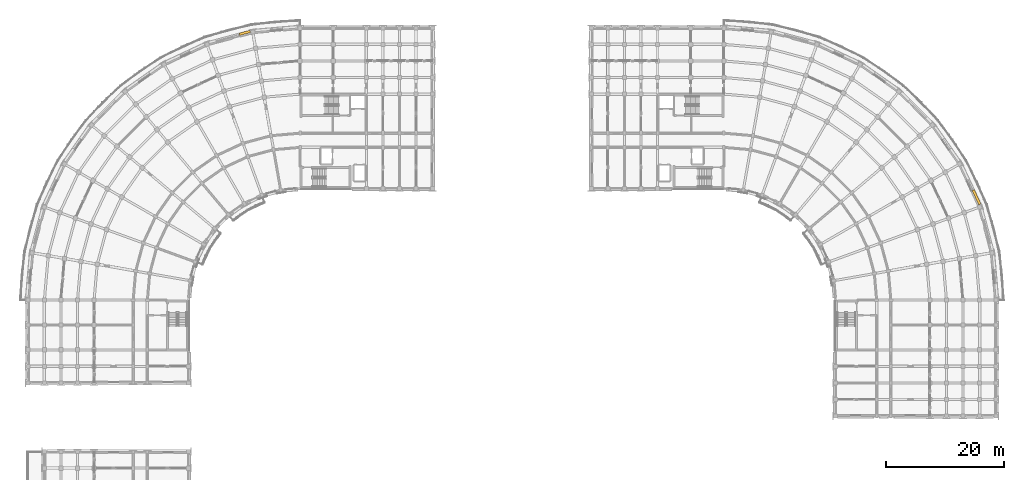
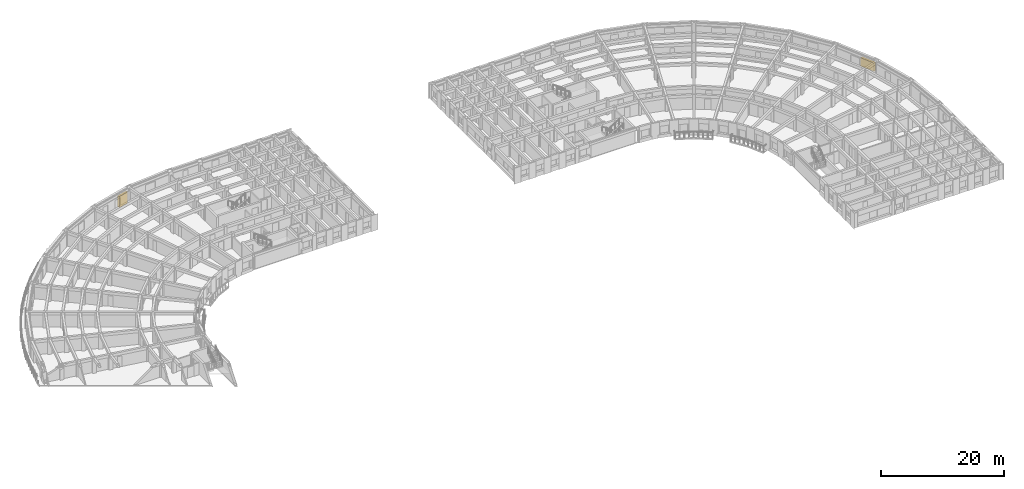
# One storey, part 56 of 57: 2 coverings.
"""IFC4 building model written with IfcOpenShell, lengths in metres."""

from ifc_helpers import new_model, si_unit, direction, frame, origin, place, context, subcontext, project, spatial, polyline, outline, extrude, material, layer, layer_set, type_object, element, save


model = new_model("IFC4")

# Units and contexts
model_context = context("Model", 3, precision=1e-05, world=origin(), true_north=direction((0.0, 1.0)))
body_context = subcontext(model_context, "Body", "Model", "MODEL_VIEW")
ifc_project = project(units=[si_unit("LENGTHUNIT", "METRE"), si_unit("AREAUNIT", "SQUARE_METRE"), si_unit("VOLUMEUNIT", "CUBIC_METRE"), si_unit("PLANEANGLEUNIT", "RADIAN"), si_unit("MASSUNIT", "GRAM", prefix="KILO")], contexts=[model_context])

# Site, building, storey
site_placement = place(None, origin())
site = spatial("IfcSite", under=ifc_project, at=site_placement, CompositionType="ELEMENT")
building_placement = place(site_placement, origin())
building = spatial("IfcBuilding", under=site, at=building_placement, Name="Kiranvali Square Residences", CompositionType="ELEMENT")
storey_placement = place(building_placement, frame((0.0, 0.0, 21.300048828125)))
storey = spatial("IfcBuildingStorey", under=building, at=storey_placement, Name="L06", CompositionType="ELEMENT", Elevation=21.300048828125)

# Coverings
ifc_material = material(Name="Honed Porbandar limestone ashlar facade cladding", Category="masonry")
ifc_layer = layer(ifc_material, 0.3798828125)
ifc_layer_set = layer_set([ifc_layer], Name="Honed Porbandar limestone ashlar facade cladding")
covering_type = type_object("IfcCoveringType", Name="COV-CLAD-JAMB", PredefinedType="CLADDING", material=ifc_layer_set)
covering_1_placement = place(storey_placement, origin())
element("IfcCovering", 1, at=covering_1_placement, inside=storey, type_object=covering_type, Name="L06 deep limestone window jamb reveal A-L06-CRV-01.L", PredefinedType="CLADDING", context=body_context, shape_type="SweptSolid", body=[
    extrude(outline(polyline([(39.7197265625, 133.3935546875), (37.9072265625, 132.907958984375), (38.01318359375, 132.512451171875), (39.82568359375, 132.998046875), (39.7197265625, 133.3935546875)])), origin(), (0.0, 0.0, 1.0), 2.179931640625),
])
covering_2_placement = place(storey_placement, frame((0.0, 0.0, 0.6220703125)))
element("IfcCovering", 2, at=covering_2_placement, inside=storey, type_object=covering_type, Name="L06 deep limestone window jamb reveal B-L06-CRV-06.R", PredefinedType="CLADDING", context=body_context, shape_type="SweptSolid", body=[
    extrude(outline(polyline([(161.7333984375, 106.3056640625), (162.857177734375, 103.895751953125), (163.228515625, 104.068603515625), (162.1044921875, 106.478759765625), (161.7333984375, 106.3056640625)])), origin(), (0.0, 0.0, 1.0), 1.64990234375),
])

save(model, "model.ifc")
